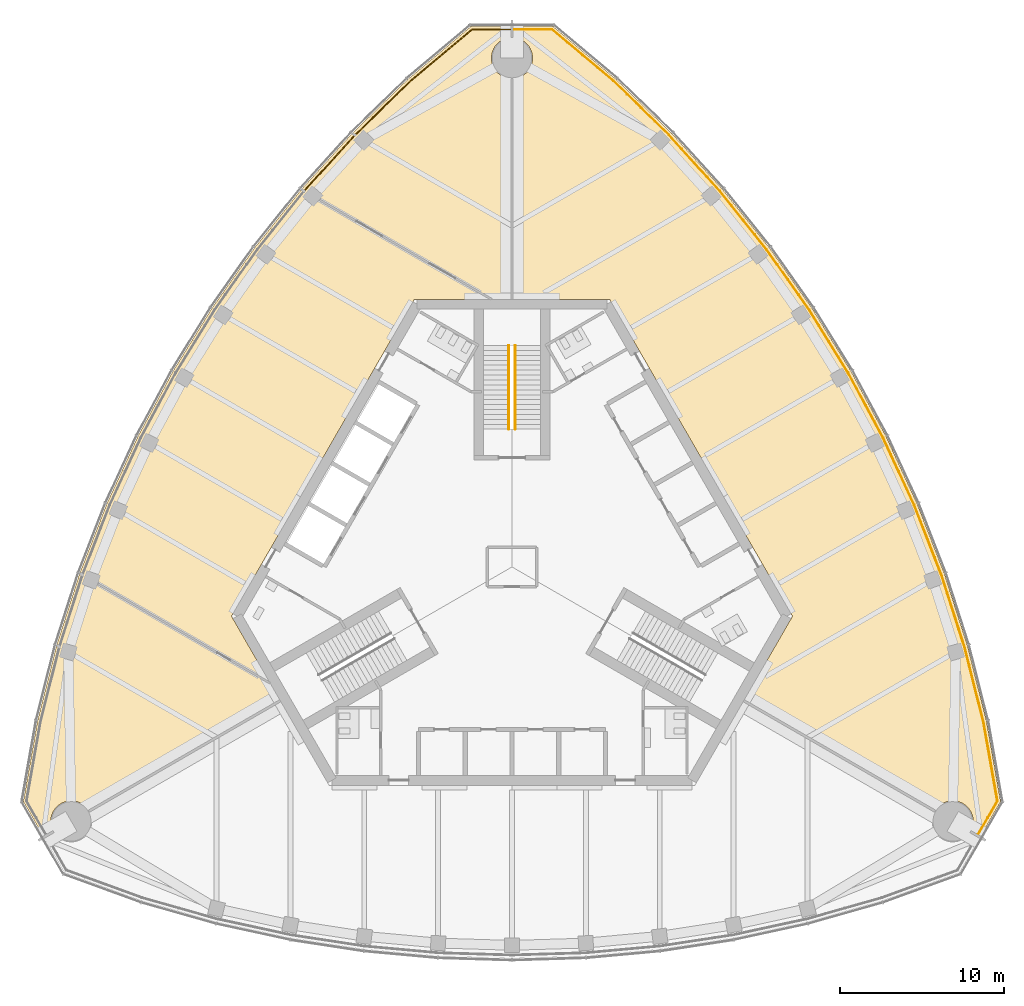
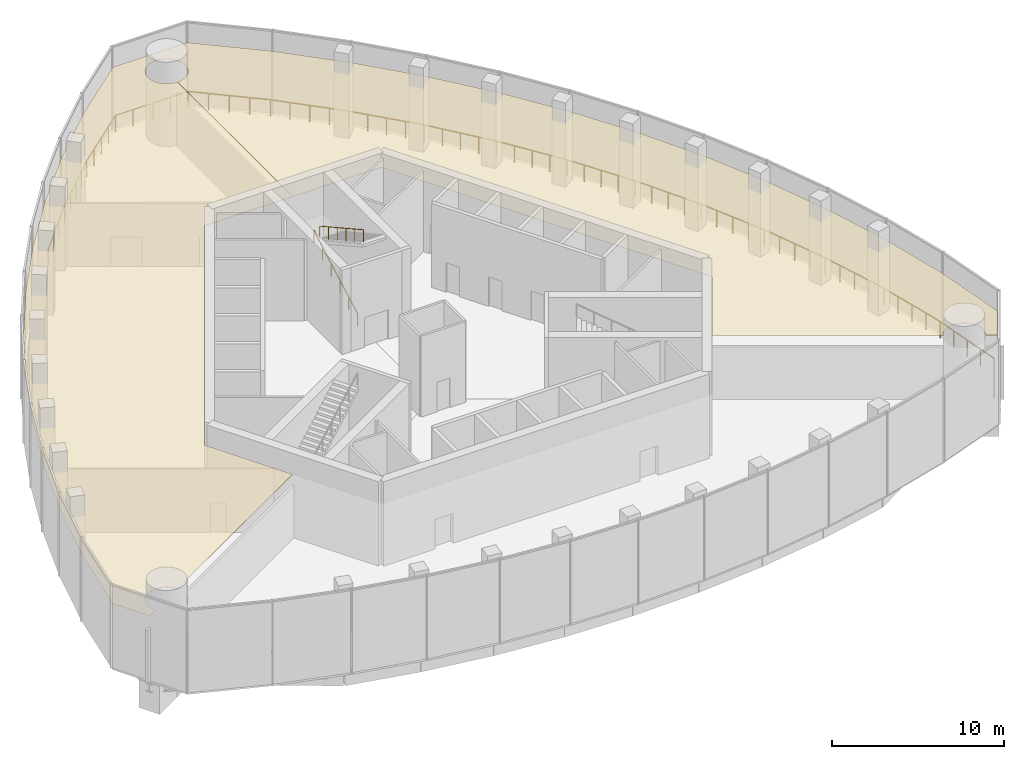
# One storey, part 13 of 15: 5 railings, 2 coverings.
"""IFC4 building model written with IfcOpenShell, lengths in metres."""

from ifc_helpers import new_model, si_unit, direction, frame, origin, origin_2d, place, context, subcontext, project, spatial, polyline, circle, outline, extrude, material, layer, layer_set, type_object, element, save


model = new_model("IFC4")

# Units and contexts
model_context = context("Model", 3, precision=1e-05, world=origin(), true_north=direction((0.0, 1.0)))
body_context = subcontext(model_context, "Body", "Model", "MODEL_VIEW")
ifc_project = project(units=[si_unit("LENGTHUNIT", "METRE"), si_unit("AREAUNIT", "SQUARE_METRE"), si_unit("VOLUMEUNIT", "CUBIC_METRE"), si_unit("PLANEANGLEUNIT", "RADIAN"), si_unit("MASSUNIT", "GRAM", prefix="KILO")], contexts=[model_context])

# Site, building, storey
site_placement = place(None, origin())
site = spatial("IfcSite", under=ifc_project, at=site_placement, CompositionType="ELEMENT")
building_placement = place(site_placement, origin())
building = spatial("IfcBuilding", under=site, at=building_placement, Name="Trefoil Bronze Tower", CompositionType="ELEMENT")
storey_placement = place(building_placement, frame((0.0, 0.0, 322.5)))
storey = spatial("IfcBuildingStorey", under=building, at=storey_placement, Name="L74", CompositionType="ELEMENT", Elevation=322.5)

# Coverings
ifc_material_1 = material(Name="Bronze metal ceiling panels", Category="metal")
ifc_layer = layer(ifc_material_1, 0.02001953125)
ifc_layer_set = layer_set([ifc_layer], Name="Feature ceiling 20")
covering_type = type_object("IfcCoveringType", Name="Feature ceiling 20", PredefinedType="CEILING", material=ifc_layer_set)
covering_1_placement = place(storey_placement, frame((0.0, 0.0, 4.5)))
element("IfcCovering", 1, at=covering_1_placement, inside=storey, type_object=covering_type, Name="Ceiling L74-025", PredefinedType="CEILING", context=body_context, shape_type="SweptSolid", body=[
    extrude(outline(polyline([(9.741455078125, 26.408935546875), (12.836181640625, 22.99951171875), (15.682861328125, 19.44677734375), (18.2880859375, 15.7548828125), (20.656005859375, 11.92578125), (22.7880859375, 7.960693359375), (24.682861328125, 3.8583984375), (26.336181640625, -0.38330078125), (27.741455078125, -4.76806640625), (28.899169921875, -9.3515625), (29.770263671875, -14.291748046875), (28.522216796875, -16.453125), (27.93505859375, -16.1142578125), (27.976806640625, -16.034423828125), (28.001708984375, -15.978515625), (28.023681640625, -15.921142578125), (28.04296875, -15.86279296875), (28.059326171875, -15.8037109375), (28.07275390625, -15.743896484375), (28.083251953125, -15.683349609375), (28.0908203125, -15.62255859375), (28.09521484375, -15.561279296875), (28.0966796875, -15.5), (28.09521484375, -15.438720703125), (28.0908203125, -15.37744140625), (28.083251953125, -15.316650390625), (28.07275390625, -15.256103515625), (28.059326171875, -15.1962890625), (28.04296875, -15.13720703125), (28.023681640625, -15.078857421875), (28.001708984375, -15.021484375), (27.976806640625, -14.965576171875), (27.94921875, -14.910888671875), (27.9189453125, -14.857421875), (27.885986328125, -14.805419921875), (27.850830078125, -14.75537109375), (27.81298828125, -14.70703125), (27.77294921875, -14.66064453125), (27.730712890625, -14.6162109375), (27.686279296875, -14.57373046875), (27.639892578125, -14.53369140625), (27.59130859375, -14.49609375), (27.541259765625, -14.460693359375), (27.489501953125, -14.427734375), (27.43603515625, -14.397705078125), (27.381103515625, -14.3701171875), (27.3251953125, -14.34521484375), (27.267822265625, -14.322998046875), (27.209716796875, -14.3037109375), (27.150390625, -14.28759765625), (27.0908203125, -14.27392578125), (27.0302734375, -14.263427734375), (26.96923828125, -14.256103515625), (26.908203125, -14.25146484375), (26.8466796875, -14.25), (26.785400390625, -14.25146484375), (26.724365234375, -14.256103515625), (26.663330078125, -14.263427734375), (26.602783203125, -14.27392578125), (26.543212890625, -14.28759765625), (26.48388671875, -14.3037109375), (26.42578125, -14.322998046875), (26.368408203125, -14.34521484375), (26.312255859375, -14.3701171875), (26.257568359375, -14.397705078125), (26.2041015625, -14.427734375), (26.15234375, -14.460693359375), (26.102294921875, -14.49609375), (26.0537109375, -14.53369140625), (26.00732421875, -14.57373046875), (25.962890625, -14.6162109375), (25.920654296875, -14.66064453125), (25.880615234375, -14.70703125), (25.8427734375, -14.75537109375), (25.8076171875, -14.805419921875), (25.77001953125, -14.865478515625), (14.119384765625, -8.144775390625), (17.089599609375, -3.0), (5.94677734375, 16.300048828125), (0.006103515625, 16.300048828125), (0.01123046875, 29.750244140625), (0.061279296875, 29.75146484375), (0.12255859375, 29.756103515625), (0.183349609375, 29.763427734375), (0.243896484375, 29.77392578125), (0.3037109375, 29.78759765625), (0.36279296875, 29.8037109375), (0.421142578125, 29.822998046875), (0.478515625, 29.84521484375), (0.534423828125, 29.8701171875), (0.589111328125, 29.897705078125), (0.642578125, 29.927734375), (0.694580078125, 29.960693359375), (0.74462890625, 29.99609375), (0.79296875, 30.03369140625), (0.83935546875, 30.07373046875), (0.8837890625, 30.1162109375), (0.92626953125, 30.16064453125), (0.96630859375, 30.20703125), (1.00390625, 30.25537109375), (1.039306640625, 30.305419921875), (1.072265625, 30.357421875), (1.102294921875, 30.410888671875), (1.1298828125, 30.465576171875), (1.15478515625, 30.521484375), (1.177001953125, 30.578857421875), (1.1962890625, 30.63720703125), (1.21240234375, 30.6962890625), (1.22607421875, 30.756103515625), (1.236572265625, 30.816650390625), (1.243896484375, 30.87744140625), (1.24853515625, 30.938720703125), (1.25, 31.0), (1.24853515625, 31.061279296875), (1.243896484375, 31.12255859375), (1.236572265625, 31.183349609375), (1.22607421875, 31.243896484375), (1.21240234375, 31.3037109375), (1.1962890625, 31.36279296875), (1.177001953125, 31.421142578125), (1.15478515625, 31.478515625), (1.1298828125, 31.534423828125), (1.102294921875, 31.589111328125), (1.072265625, 31.642578125), (1.039306640625, 31.694580078125), (1.00390625, 31.74462890625), (0.96630859375, 31.79296875), (0.92626953125, 31.83935546875), (0.8837890625, 31.8837890625), (0.83935546875, 31.92626953125), (0.79296875, 31.96630859375), (0.74462890625, 32.00390625), (0.694580078125, 32.039306640625), (0.642578125, 32.072265625), (0.589111328125, 32.102294921875), (0.534423828125, 32.1298828125), (0.478515625, 32.15478515625), (0.421142578125, 32.177001953125), (0.36279296875, 32.1962890625), (0.3037109375, 32.21240234375), (0.243896484375, 32.22607421875), (0.183349609375, 32.236572265625), (0.12255859375, 32.243896484375), (0.061279296875, 32.24853515625), (0.01220703125, 32.249755859375), (0.01220703125, 32.927490234375), (2.508056640625, 32.927490234375), (6.350830078125, 29.703125), (9.741455078125, 26.408935546875)])), origin(), (0.0, 0.0, 1.0), 0.02001953125),
])
covering_2_placement = place(storey_placement, frame((0.0, 0.0, 4.5)))
element("IfcCovering", 2, at=covering_2_placement, inside=storey, type_object=covering_type, Name="Ceiling L74 Exhibition gallery F3", PredefinedType="CEILING", context=body_context, shape_type="SweptSolid", body=[
    extrude(outline(polyline([(-27.741455078125, -4.76806640625), (-26.336181640625, -0.38330078125), (-24.682861328125, 3.8583984375), (-22.7880859375, 7.960693359375), (-20.656005859375, 11.92578125), (-18.2880859375, 15.7548828125), (-15.682861328125, 19.44677734375), (-12.836181640625, 22.99951171875), (-9.741455078125, 26.408935546875), (-6.350830078125, 29.703125), (-2.508056640625, 32.927490234375), (-0.01220703125, 32.927490234375), (-0.01220703125, 32.249755859375), (-0.061279296875, 32.24853515625), (-0.12255859375, 32.243896484375), (-0.183349609375, 32.236572265625), (-0.243896484375, 32.22607421875), (-0.3037109375, 32.21240234375), (-0.36279296875, 32.1962890625), (-0.421142578125, 32.177001953125), (-0.478515625, 32.15478515625), (-0.534423828125, 32.1298828125), (-0.589111328125, 32.102294921875), (-0.642578125, 32.072265625), (-0.694580078125, 32.039306640625), (-0.74462890625, 32.00390625), (-0.79296875, 31.96630859375), (-0.83935546875, 31.92626953125), (-0.8837890625, 31.8837890625), (-0.92626953125, 31.83935546875), (-0.96630859375, 31.79296875), (-1.00390625, 31.74462890625), (-1.039306640625, 31.694580078125), (-1.072265625, 31.642578125), (-1.102294921875, 31.589111328125), (-1.1298828125, 31.534423828125), (-1.15478515625, 31.478515625), (-1.177001953125, 31.421142578125), (-1.1962890625, 31.36279296875), (-1.21240234375, 31.3037109375), (-1.22607421875, 31.243896484375), (-1.236572265625, 31.183349609375), (-1.243896484375, 31.12255859375), (-1.24853515625, 31.061279296875), (-1.25, 31.0), (-1.24853515625, 30.938720703125), (-1.243896484375, 30.87744140625), (-1.236572265625, 30.816650390625), (-1.22607421875, 30.756103515625), (-1.21240234375, 30.6962890625), (-1.1962890625, 30.63720703125), (-1.177001953125, 30.578857421875), (-1.15478515625, 30.521484375), (-1.1298828125, 30.465576171875), (-1.102294921875, 30.410888671875), (-1.072265625, 30.357421875), (-1.039306640625, 30.305419921875), (-1.00390625, 30.25537109375), (-0.96630859375, 30.20703125), (-0.92626953125, 30.16064453125), (-0.8837890625, 30.1162109375), (-0.83935546875, 30.07373046875), (-0.79296875, 30.03369140625), (-0.74462890625, 29.99609375), (-0.694580078125, 29.960693359375), (-0.642578125, 29.927734375), (-0.589111328125, 29.897705078125), (-0.534423828125, 29.8701171875), (-0.478515625, 29.84521484375), (-0.421142578125, 29.822998046875), (-0.36279296875, 29.8037109375), (-0.3037109375, 29.78759765625), (-0.243896484375, 29.77392578125), (-0.183349609375, 29.763427734375), (-0.12255859375, 29.756103515625), (-0.061279296875, 29.75146484375), (-0.01123046875, 29.750244140625), (-0.006103515625, 16.300048828125), (-5.94677734375, 16.300048828125), (-17.089599609375, -3.0), (-14.119384765625, -8.144775390625), (-25.77001953125, -14.865478515625), (-25.8076171875, -14.805419921875), (-25.8427734375, -14.75537109375), (-25.880615234375, -14.70703125), (-25.920654296875, -14.66064453125), (-25.962890625, -14.6162109375), (-26.00732421875, -14.57373046875), (-26.0537109375, -14.53369140625), (-26.102294921875, -14.49609375), (-26.15234375, -14.460693359375), (-26.2041015625, -14.427734375), (-26.257568359375, -14.397705078125), (-26.312255859375, -14.3701171875), (-26.368408203125, -14.34521484375), (-26.42578125, -14.322998046875), (-26.48388671875, -14.3037109375), (-26.543212890625, -14.28759765625), (-26.602783203125, -14.27392578125), (-26.663330078125, -14.263427734375), (-26.724365234375, -14.256103515625), (-26.785400390625, -14.25146484375), (-26.8466796875, -14.25), (-26.908203125, -14.25146484375), (-26.96923828125, -14.256103515625), (-27.0302734375, -14.263427734375), (-27.0908203125, -14.27392578125), (-27.150390625, -14.28759765625), (-27.209716796875, -14.3037109375), (-27.267822265625, -14.322998046875), (-27.3251953125, -14.34521484375), (-27.381103515625, -14.3701171875), (-27.43603515625, -14.397705078125), (-27.489501953125, -14.427734375), (-27.541259765625, -14.460693359375), (-27.59130859375, -14.49609375), (-27.639892578125, -14.53369140625), (-27.686279296875, -14.57373046875), (-27.730712890625, -14.6162109375), (-27.77294921875, -14.66064453125), (-27.81298828125, -14.70703125), (-27.850830078125, -14.75537109375), (-27.885986328125, -14.805419921875), (-27.9189453125, -14.857421875), (-27.94921875, -14.910888671875), (-27.976806640625, -14.965576171875), (-28.001708984375, -15.021484375), (-28.023681640625, -15.078857421875), (-28.04296875, -15.13720703125), (-28.059326171875, -15.1962890625), (-28.07275390625, -15.256103515625), (-28.083251953125, -15.316650390625), (-28.0908203125, -15.37744140625), (-28.09521484375, -15.438720703125), (-28.0966796875, -15.5), (-28.09521484375, -15.561279296875), (-28.0908203125, -15.62255859375), (-28.083251953125, -15.683349609375), (-28.07275390625, -15.743896484375), (-28.059326171875, -15.8037109375), (-28.04296875, -15.86279296875), (-28.023681640625, -15.921142578125), (-28.001708984375, -15.978515625), (-27.976806640625, -16.034423828125), (-27.93505859375, -16.1142578125), (-28.522216796875, -16.453125), (-29.770263671875, -14.291748046875), (-28.899169921875, -9.3515625), (-27.741455078125, -4.76806640625)])), origin(), (0.0, 0.0, 1.0), 0.02001953125),
])

# Railings
ifc_material_2 = material(Name="Bronze-finish steel guard rail and posts", Category="steel")
railing_type_1 = type_object("IfcRailingType", Name="Glazing guard 1200", PredefinedType="GUARDRAIL", material=ifc_material_2)
railing_1_placement = place(storey_placement, frame((28.390869140625, -16.304931640625, 0.0)))
element("IfcRailing", 3, at=railing_1_placement, inside=storey, type_object=railing_type_1, Name="Glazing guard L74.4", PredefinedType="GUARDRAIL", context=body_context, shape_type="SweptSolid", body=[
    extrude(circle(Radius=0.02392578125, at=origin_2d()), frame((0.0, 0.0, 1.17578125), z_axis=(0.499969694265, 0.866042900102, 0.0), x_axis=(-0.866042900102, 0.499969694265, 0.0)), (0.0, 0.0, 1.0), 2.364990234375),
    extrude(circle(Radius=0.02392578125, at=origin_2d()), frame((1.182373046875, 2.048095703125, 1.17578125), z_axis=(-0.173674011699, 0.984803197426, 0.0), x_axis=(-0.984803197426, -0.173674011699, 0.0)), (0.0, 0.0, 1.0), 4.87939453125),
    extrude(circle(Radius=0.02392578125, at=origin_2d()), frame((0.3349609375, 6.853271484375, 1.17578125), z_axis=(-0.244843724282, 0.969562556352, 0.0), x_axis=(-0.969562556352, -0.244843724282, 0.0)), (0.0, 0.0, 1.0), 4.727294921875),
    extrude(circle(Radius=0.02392578125, at=origin_2d()), frame((-0.822509765625, 11.436767578125, 1.17578125), z_axis=(-0.305183545883, 0.952293548924, 0.0), x_axis=(-0.952293548924, -0.305183545883, 0.0)), (0.0, 0.0, 1.0), 4.604736328125),
    extrude(circle(Radius=0.02392578125, at=origin_2d()), frame((-2.227783203125, 15.82177734375, 1.17578125), z_axis=(-0.363230297573, 0.931699388711, 0.0), x_axis=(-0.931699388711, -0.363230297573, 0.0)), (0.0, 0.0, 1.0), 4.552490234375),
    extrude(circle(Radius=0.02392578125, at=origin_2d()), frame((-3.88134765625, 20.063232421875, 1.17578125), z_axis=(-0.419270595022, 0.907861315483, 0.0), x_axis=(-0.907861315483, -0.419270595022, 0.0)), (0.0, 0.0, 1.0), 4.5185546875),
    extrude(circle(Radius=0.02392578125, at=origin_2d()), frame((-5.77587890625, 24.16552734375, 1.17578125), z_axis=(-0.473588789092, 0.880746080801, 0.0), x_axis=(-0.880746080801, -0.473588789092, 0.0)), (0.0, 0.0, 1.0), 4.501953125),
    extrude(circle(Radius=0.02392578125, at=origin_2d()), frame((-7.907958984375, 28.130615234375, 1.17578125), z_axis=(-0.525956915034, 0.850511213052, 0.0), x_axis=(-0.850511213052, -0.525956915034, 0.0)), (0.0, 0.0, 1.0), 4.502197265625),
    extrude(circle(Radius=0.02392578125, at=origin_2d()), frame((-10.27587890625, 31.959716796875, 1.17578125), z_axis=(-0.576598345124, 0.817027752527, 0.0), x_axis=(-0.817027752527, -0.576598345124, 0.0)), (0.0, 0.0, 1.0), 4.518798828125),
    extrude(circle(Radius=0.02392578125, at=origin_2d()), frame((-12.88134765625, 35.651611328125, 1.17578125), z_axis=(-0.625263875383, 0.780413407202, 0.0), x_axis=(-0.780413407202, -0.625263875383, 0.0)), (0.0, 0.0, 1.0), 4.552490234375),
    extrude(circle(Radius=0.02392578125, at=origin_2d()), frame((-15.727783203125, 39.204345703125, 1.17578125), z_axis=(-0.672107828981, 0.740453284295, 0.0), x_axis=(-0.740453284295, -0.672107828981, 0.0)), (0.0, 0.0, 1.0), 4.6044921875),
    extrude(circle(Radius=0.02392578125, at=origin_2d()), frame((-18.822509765625, 42.61376953125, 1.17578125), z_axis=(-0.717207108263, 0.696860074805, 0.0), x_axis=(-0.696860074805, -0.717207108263, 0.0)), (0.0, 0.0, 1.0), 4.7275390625),
    extrude(circle(Radius=0.02392578125, at=origin_2d()), frame((-22.213134765625, 45.908203125, 1.17578125), z_axis=(-0.766055639113, 0.642774266585, 0.0), x_axis=(-0.642774266585, -0.766055639113, 0.0)), (0.0, 0.0, 1.0), 4.879638671875),
    extrude(circle(Radius=0.02392578125, at=origin_2d()), frame((-25.951171875, 49.044677734375, 1.17578125), z_axis=(-1.0, 0.0, 0.0), x_axis=(0.0, -1.0, 0.0)), (0.0, 0.0, 1.0), 2.36474609375),
    extrude(circle(Radius=0.02099609375, at=origin_2d()), origin(), (0.0, 0.0, 1.0), 1.15185546875),
    extrude(circle(Radius=0.02099609375, at=origin_2d()), frame((0.59130859375, 1.02392578125, 0.0)), (0.0, 0.0, 1.0), 1.15185546875),
    extrude(circle(Radius=0.02099609375, at=origin_2d()), frame((1.182373046875, 2.048095703125, 0.0)), (0.0, 0.0, 1.0), 1.15185546875),
    extrude(circle(Radius=0.02099609375, at=origin_2d()), frame((0.970458984375, 3.24951171875, 0.0)), (0.0, 0.0, 1.0), 1.15185546875),
    extrude(circle(Radius=0.02099609375, at=origin_2d()), frame((0.7587890625, 4.45068359375, 0.0)), (0.0, 0.0, 1.0), 1.15185546875),
    extrude(circle(Radius=0.02099609375, at=origin_2d()), frame((0.546875, 5.65185546875, 0.0)), (0.0, 0.0, 1.0), 1.15185546875),
    extrude(circle(Radius=0.02099609375, at=origin_2d()), frame((0.3349609375, 6.853271484375, 0.0)), (0.0, 0.0, 1.0), 1.15185546875),
    extrude(circle(Radius=0.02099609375, at=origin_2d()), frame((0.045654296875, 7.9990234375, 0.0)), (0.0, 0.0, 1.0), 1.15185546875),
    extrude(circle(Radius=0.02099609375, at=origin_2d()), frame((-0.24365234375, 9.14501953125, 0.0)), (0.0, 0.0, 1.0), 1.15185546875),
    extrude(circle(Radius=0.02099609375, at=origin_2d()), frame((-0.533203125, 10.291015625, 0.0)), (0.0, 0.0, 1.0), 1.15185546875),
    extrude(circle(Radius=0.02099609375, at=origin_2d()), frame((-0.822509765625, 11.436767578125, 0.0)), (0.0, 0.0, 1.0), 1.15185546875),
    extrude(circle(Radius=0.02099609375, at=origin_2d()), frame((-1.173828125, 12.532958984375, 0.0)), (0.0, 0.0, 1.0), 1.15185546875),
    extrude(circle(Radius=0.02099609375, at=origin_2d()), frame((-1.525146484375, 13.62939453125, 0.0)), (0.0, 0.0, 1.0), 1.15185546875),
    extrude(circle(Radius=0.02099609375, at=origin_2d()), frame((-1.87646484375, 14.7255859375, 0.0)), (0.0, 0.0, 1.0), 1.15185546875),
    extrude(circle(Radius=0.02099609375, at=origin_2d()), frame((-2.227783203125, 15.82177734375, 0.0)), (0.0, 0.0, 1.0), 1.15185546875),
    extrude(circle(Radius=0.02099609375, at=origin_2d()), frame((-2.64111328125, 16.882080078125, 0.0)), (0.0, 0.0, 1.0), 1.15185546875),
    extrude(circle(Radius=0.02099609375, at=origin_2d()), frame((-3.0546875, 17.9423828125, 0.0)), (0.0, 0.0, 1.0), 1.15185546875),
    extrude(circle(Radius=0.02099609375, at=origin_2d()), frame((-3.468017578125, 19.0029296875, 0.0)), (0.0, 0.0, 1.0), 1.15185546875),
    extrude(circle(Radius=0.02099609375, at=origin_2d()), frame((-3.88134765625, 20.063232421875, 0.0)), (0.0, 0.0, 1.0), 1.15185546875),
    extrude(circle(Radius=0.02099609375, at=origin_2d()), frame((-4.35498046875, 21.0888671875, 0.0)), (0.0, 0.0, 1.0), 1.15185546875),
    extrude(circle(Radius=0.02099609375, at=origin_2d()), frame((-4.82861328125, 22.1142578125, 0.0)), (0.0, 0.0, 1.0), 1.15185546875),
    extrude(circle(Radius=0.02099609375, at=origin_2d()), frame((-5.30224609375, 23.139892578125, 0.0)), (0.0, 0.0, 1.0), 1.15185546875),
    extrude(circle(Radius=0.02099609375, at=origin_2d()), frame((-5.77587890625, 24.16552734375, 0.0)), (0.0, 0.0, 1.0), 1.15185546875),
    extrude(circle(Radius=0.02099609375, at=origin_2d()), frame((-6.308837890625, 25.15673828125, 0.0)), (0.0, 0.0, 1.0), 1.15185546875),
    extrude(circle(Radius=0.02099609375, at=origin_2d()), frame((-6.841796875, 26.14794921875, 0.0)), (0.0, 0.0, 1.0), 1.15185546875),
    extrude(circle(Radius=0.02099609375, at=origin_2d()), frame((-7.375, 27.139404296875, 0.0)), (0.0, 0.0, 1.0), 1.15185546875),
    extrude(circle(Radius=0.02099609375, at=origin_2d()), frame((-7.907958984375, 28.130615234375, 0.0)), (0.0, 0.0, 1.0), 1.15185546875),
    extrude(circle(Radius=0.02099609375, at=origin_2d()), frame((-8.5, 29.087890625, 0.0)), (0.0, 0.0, 1.0), 1.15185546875),
    extrude(circle(Radius=0.02099609375, at=origin_2d()), frame((-9.091796875, 30.045166015625, 0.0)), (0.0, 0.0, 1.0), 1.15185546875),
    extrude(circle(Radius=0.02099609375, at=origin_2d()), frame((-9.683837890625, 31.00244140625, 0.0)), (0.0, 0.0, 1.0), 1.15185546875),
    extrude(circle(Radius=0.02099609375, at=origin_2d()), frame((-10.27587890625, 31.959716796875, 0.0)), (0.0, 0.0, 1.0), 1.15185546875),
    extrude(circle(Radius=0.02099609375, at=origin_2d()), frame((-10.92724609375, 32.8828125, 0.0)), (0.0, 0.0, 1.0), 1.15185546875),
    extrude(circle(Radius=0.02099609375, at=origin_2d()), frame((-11.57861328125, 33.8056640625, 0.0)), (0.0, 0.0, 1.0), 1.15185546875),
    extrude(circle(Radius=0.02099609375, at=origin_2d()), frame((-12.22998046875, 34.728515625, 0.0)), (0.0, 0.0, 1.0), 1.15185546875),
    extrude(circle(Radius=0.02099609375, at=origin_2d()), frame((-12.88134765625, 35.651611328125, 0.0)), (0.0, 0.0, 1.0), 1.15185546875),
    extrude(circle(Radius=0.02099609375, at=origin_2d()), frame((-13.593017578125, 36.539794921875, 0.0)), (0.0, 0.0, 1.0), 1.15185546875),
    extrude(circle(Radius=0.02099609375, at=origin_2d()), frame((-14.3046875, 37.427978515625, 0.0)), (0.0, 0.0, 1.0), 1.15185546875),
    extrude(circle(Radius=0.02099609375, at=origin_2d()), frame((-15.01611328125, 38.316162109375, 0.0)), (0.0, 0.0, 1.0), 1.15185546875),
    extrude(circle(Radius=0.02099609375, at=origin_2d()), frame((-15.727783203125, 39.204345703125, 0.0)), (0.0, 0.0, 1.0), 1.15185546875),
    extrude(circle(Radius=0.02099609375, at=origin_2d()), frame((-16.50146484375, 40.056640625, 0.0)), (0.0, 0.0, 1.0), 1.15185546875),
    extrude(circle(Radius=0.02099609375, at=origin_2d()), frame((-17.275146484375, 40.9091796875, 0.0)), (0.0, 0.0, 1.0), 1.15185546875),
    extrude(circle(Radius=0.02099609375, at=origin_2d()), frame((-18.048828125, 41.761474609375, 0.0)), (0.0, 0.0, 1.0), 1.15185546875),
    extrude(circle(Radius=0.02099609375, at=origin_2d()), frame((-18.822509765625, 42.61376953125, 0.0)), (0.0, 0.0, 1.0), 1.15185546875),
    extrude(circle(Radius=0.02099609375, at=origin_2d()), frame((-19.670166015625, 43.4375, 0.0)), (0.0, 0.0, 1.0), 1.15185546875),
    extrude(circle(Radius=0.02099609375, at=origin_2d()), frame((-20.517822265625, 44.260986328125, 0.0)), (0.0, 0.0, 1.0), 1.15185546875),
    extrude(circle(Radius=0.02099609375, at=origin_2d()), frame((-21.365478515625, 45.08447265625, 0.0)), (0.0, 0.0, 1.0), 1.15185546875),
    extrude(circle(Radius=0.02099609375, at=origin_2d()), frame((-22.213134765625, 45.908203125, 0.0)), (0.0, 0.0, 1.0), 1.15185546875),
    extrude(circle(Radius=0.02099609375, at=origin_2d()), frame((-23.147705078125, 46.6923828125, 0.0)), (0.0, 0.0, 1.0), 1.15185546875),
    extrude(circle(Radius=0.02099609375, at=origin_2d()), frame((-24.08203125, 47.4765625, 0.0)), (0.0, 0.0, 1.0), 1.15185546875),
    extrude(circle(Radius=0.02099609375, at=origin_2d()), frame((-25.0166015625, 48.260498046875, 0.0)), (0.0, 0.0, 1.0), 1.15185546875),
    extrude(circle(Radius=0.02099609375, at=origin_2d()), frame((-25.951171875, 49.044677734375, 0.0)), (0.0, 0.0, 1.0), 1.15185546875),
    extrude(circle(Radius=0.02099609375, at=origin_2d()), frame((-27.133544921875, 49.044677734375, 0.0)), (0.0, 0.0, 1.0), 1.15185546875),
    extrude(circle(Radius=0.02099609375, at=origin_2d()), frame((-28.31591796875, 49.044677734375, 0.0)), (0.0, 0.0, 1.0), 1.15185546875),
])
railing_2_placement = place(storey_placement, frame((-0.074951171875, 32.73974609375, 0.0)))
element("IfcRailing", 4, at=railing_2_placement, inside=storey, type_object=railing_type_1, Name="Glazing guard L74.5", PredefinedType="GUARDRAIL", context=body_context, shape_type="SweptSolid", body=[
    extrude(circle(Radius=0.02392578125, at=origin_2d()), frame((0.0, 0.0, 1.17578125), z_axis=(-1.0, 0.0, 0.0), x_axis=(0.0, -1.0, 0.0)), (0.0, 0.0, 1.0), 2.36474609375),
    extrude(circle(Radius=0.02392578125, at=origin_2d()), frame((-2.36474609375, 0.0, 1.17578125), z_axis=(-0.766055639113, -0.642774266585, 0.0), x_axis=(0.642774266585, -0.766055639113, 0.0)), (0.0, 0.0, 1.0), 4.879638671875),
    extrude(circle(Radius=0.02392578125, at=origin_2d()), frame((-6.102783203125, -3.136474609375, 1.17578125), z_axis=(-0.717220143023, -0.696846659203, 0.0), x_axis=(0.696846659203, -0.717220143023, 0.0)), (0.0, 0.0, 1.0), 4.6494140625),
    extrude(circle(Radius=0.02099609375, at=origin_2d()), origin(), (0.0, 0.0, 1.0), 1.15185546875),
    extrude(circle(Radius=0.02099609375, at=origin_2d()), frame((-1.182373046875, 0.0, 0.0)), (0.0, 0.0, 1.0), 1.15185546875),
    extrude(circle(Radius=0.02099609375, at=origin_2d()), frame((-2.36474609375, 0.0, 0.0)), (0.0, 0.0, 1.0), 1.15185546875),
    extrude(circle(Radius=0.02099609375, at=origin_2d()), frame((-3.29931640625, -0.7841796875, 0.0)), (0.0, 0.0, 1.0), 1.15185546875),
    extrude(circle(Radius=0.02099609375, at=origin_2d()), frame((-4.23388671875, -1.568359375, 0.0)), (0.0, 0.0, 1.0), 1.15185546875),
    extrude(circle(Radius=0.02099609375, at=origin_2d()), frame((-5.168212890625, -2.352294921875, 0.0)), (0.0, 0.0, 1.0), 1.15185546875),
    extrude(circle(Radius=0.02099609375, at=origin_2d()), frame((-6.102783203125, -3.136474609375, 0.0)), (0.0, 0.0, 1.0), 1.15185546875),
    extrude(circle(Radius=0.02099609375, at=origin_2d()), frame((-6.9365234375, -3.946533203125, 0.0)), (0.0, 0.0, 1.0), 1.15185546875),
    extrude(circle(Radius=0.02099609375, at=origin_2d()), frame((-7.77001953125, -4.75634765625, 0.0)), (0.0, 0.0, 1.0), 1.15185546875),
    extrude(circle(Radius=0.02099609375, at=origin_2d()), frame((-8.603759765625, -5.56640625, 0.0)), (0.0, 0.0, 1.0), 1.15185546875),
    extrude(circle(Radius=0.02099609375, at=origin_2d()), frame((-9.4375, -6.37646484375, 0.0)), (0.0, 0.0, 1.0), 1.15185546875),
])
railing_3_placement = place(storey_placement, frame((-9.619873046875, 26.251953125, 0.0)))
element("IfcRailing", 5, at=railing_3_placement, inside=storey, type_object=railing_type_1, Name="Glazing guard L74.6", PredefinedType="GUARDRAIL", context=body_context, shape_type="SweptSolid", body=[
    extrude(circle(Radius=0.02392578125, at=origin_2d()), frame((0.0, 0.0, 1.17578125), z_axis=(-0.672137515892, -0.740426336464, 0.0), x_axis=(0.740426336464, -0.672137515892, 0.0)), (0.0, 0.0, 1.0), 4.450927734375),
    extrude(circle(Radius=0.02099609375, at=origin_2d()), origin(), (0.0, 0.0, 1.0), 1.15185546875),
    extrude(circle(Radius=0.02099609375, at=origin_2d()), frame((-0.997314453125, -1.0986328125, 0.0)), (0.0, 0.0, 1.0), 1.15185546875),
    extrude(circle(Radius=0.02099609375, at=origin_2d()), frame((-1.994384765625, -2.197021484375, 0.0)), (0.0, 0.0, 1.0), 1.15185546875),
    extrude(circle(Radius=0.02099609375, at=origin_2d()), frame((-2.99169921875, -3.295654296875, 0.0)), (0.0, 0.0, 1.0), 1.15185546875),
])
ifc_material_3 = material(Name="Steel handrail", Category="steel")
railing_type_2 = type_object("IfcRailingType", Name="Handrail 900", PredefinedType="HANDRAIL", material=ifc_material_3)
railing_4_placement = place(storey_placement, frame((-0.199951171875, 8.389892578125, 0.166748046875)))
element("IfcRailing", 6, at=railing_4_placement, inside=storey, type_object=railing_type_2, Name="Handrail ST2 flight 1 L74", PredefinedType="HANDRAIL", context=body_context, shape_type="SweptSolid", body=[
    extrude(circle(Radius=0.02392578125, at=origin_2d()), frame((0.0, 0.0, 0.8759765625), z_axis=(0.0, 0.874167145328, 0.485625166182), x_axis=(-1.0, 0.0, 0.0)), (0.0, 0.0, 1.0), 5.834228515625),
    extrude(circle(Radius=0.02099609375, at=origin_2d()), origin(), (0.0, 0.0, 1.0), 0.851806640625),
    extrude(circle(Radius=0.02099609375, at=origin_2d()), frame((0.0, 1.02001953125, 0.566650390625)), (0.0, 0.0, 1.0), 0.851806640625),
    extrude(circle(Radius=0.02099609375, at=origin_2d()), frame((0.0, 2.0400390625, 1.13330078125)), (0.0, 0.0, 1.0), 0.851806640625),
    extrude(circle(Radius=0.02099609375, at=origin_2d()), frame((0.0, 3.06005859375, 1.699951171875)), (0.0, 0.0, 1.0), 0.851806640625),
    extrude(circle(Radius=0.02099609375, at=origin_2d()), frame((0.0, 4.080078125, 2.2666015625)), (0.0, 0.0, 1.0), 0.851806640625),
    extrude(circle(Radius=0.02099609375, at=origin_2d()), frame((0.0, 5.10009765625, 2.833251953125)), (0.0, 0.0, 1.0), 0.851806640625),
])
railing_5_placement = place(storey_placement, frame((0.199951171875, 13.489990234375, 3.166748046875)))
element("IfcRailing", 7, at=railing_5_placement, inside=storey, type_object=railing_type_2, Name="Handrail ST2 flight 2 L74", PredefinedType="HANDRAIL", context=body_context, shape_type="SweptSolid", body=[
    extrude(circle(Radius=0.02392578125, at=origin_2d()), frame((0.0, 0.0, 0.8759765625), z_axis=(0.0, -0.874167145328, 0.485625166182), x_axis=(1.0, 0.0, 0.0)), (0.0, 0.0, 1.0), 5.834228515625),
    extrude(circle(Radius=0.02099609375, at=origin_2d()), origin(), (0.0, 0.0, 1.0), 0.851806640625),
    extrude(circle(Radius=0.02099609375, at=origin_2d()), frame((0.0, -1.02001953125, 0.566650390625)), (0.0, 0.0, 1.0), 0.851806640625),
    extrude(circle(Radius=0.02099609375, at=origin_2d()), frame((0.0, -2.0400390625, 1.13330078125)), (0.0, 0.0, 1.0), 0.851806640625),
    extrude(circle(Radius=0.02099609375, at=origin_2d()), frame((0.0, -3.06005859375, 1.699951171875)), (0.0, 0.0, 1.0), 0.851806640625),
    extrude(circle(Radius=0.02099609375, at=origin_2d()), frame((0.0, -4.080078125, 2.2666015625)), (0.0, 0.0, 1.0), 0.851806640625),
    extrude(circle(Radius=0.02099609375, at=origin_2d()), frame((0.0, -5.10009765625, 2.833251953125)), (0.0, 0.0, 1.0), 0.851806640625),
])

save(model, "model.ifc")
